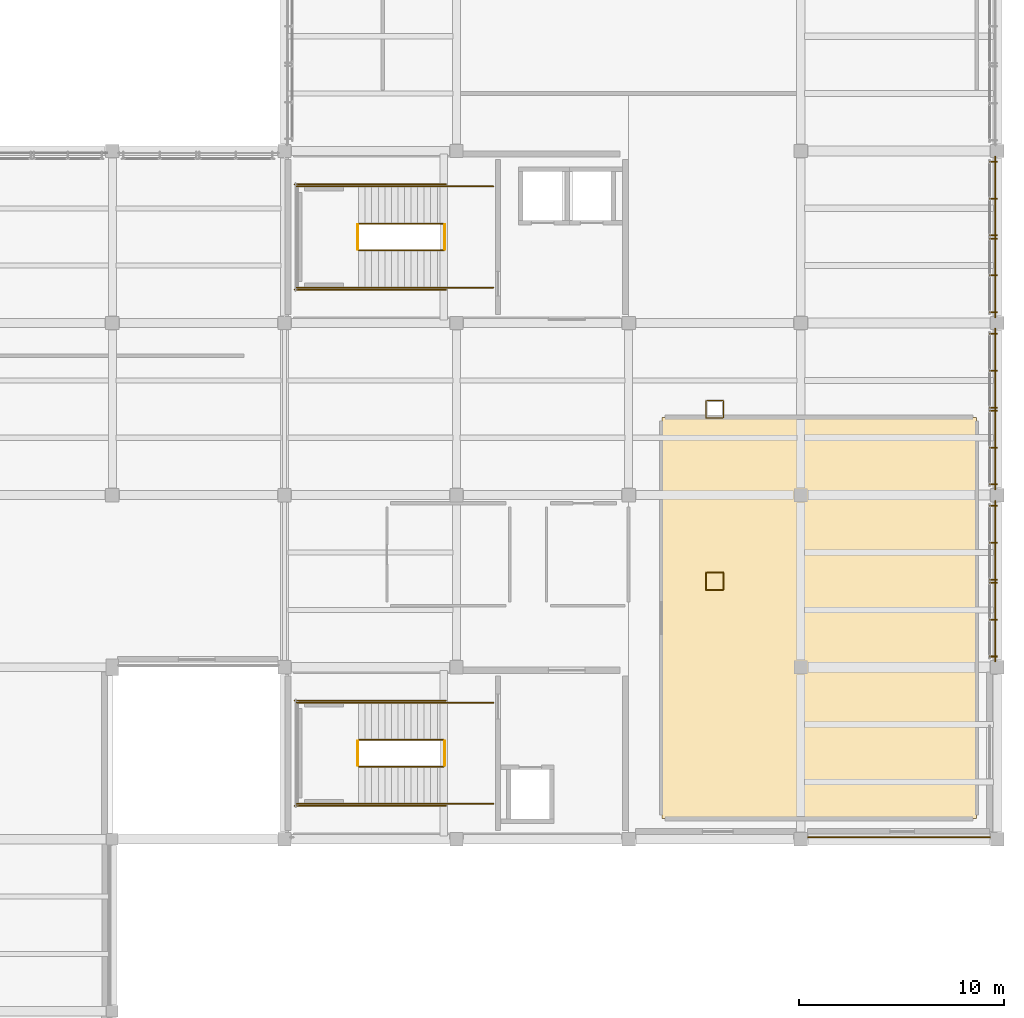
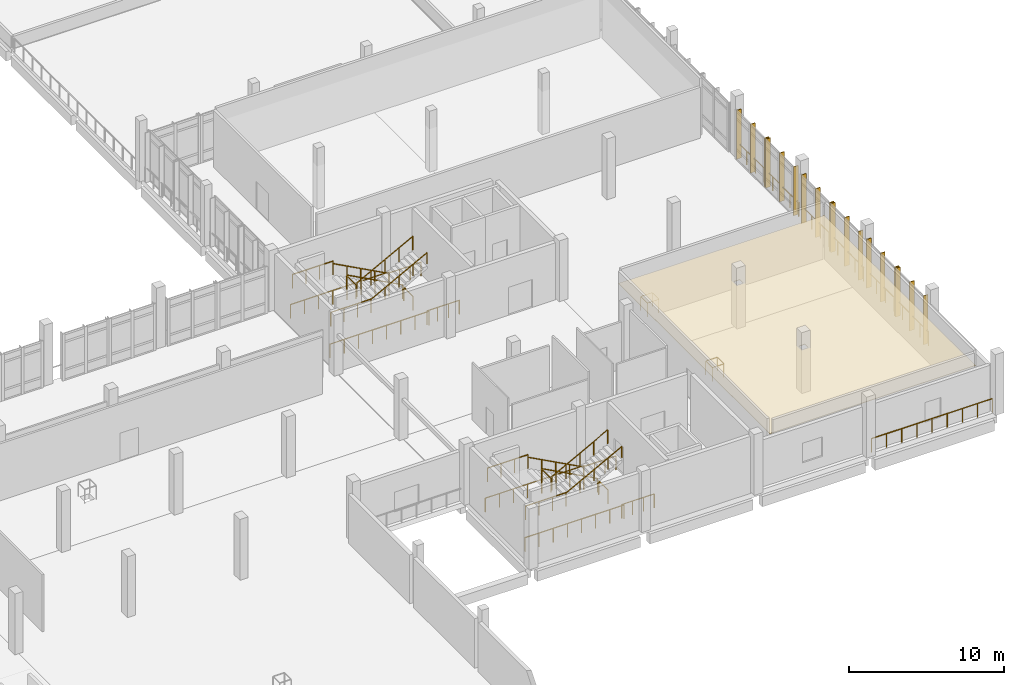
# One storey, part 61 of 63: 30 railings, 18 shading devices, 1 covering.
"""IFC4 building model written with IfcOpenShell, lengths in metres."""

from ifc_helpers import new_model, si_unit, derived_unit, direction, frame, origin, origin_2d, place, context, subcontext, project, spatial, polyline, rectangle, circle, outline, extrude, material, layer, layer_set, type_object, element, save


model = new_model("IFC4")

# Units and contexts
model_context = context("Model", 3, precision=1e-05, world=origin(), true_north=direction((0.0, 1.0)))
body_context = subcontext(model_context, "Body", "Model", "MODEL_VIEW")
ifc_project = project(units=[si_unit("LENGTHUNIT", "METRE"), si_unit("AREAUNIT", "SQUARE_METRE"), si_unit("VOLUMEUNIT", "CUBIC_METRE"), si_unit("PLANEANGLEUNIT", "RADIAN"), si_unit("MASSUNIT", "GRAM", prefix="KILO"), derived_unit("THERMALTRANSMITTANCEUNIT", [(si_unit("POWERUNIT", "WATT"), 1), (si_unit("LENGTHUNIT", "METRE"), -2), (si_unit("THERMODYNAMICTEMPERATUREUNIT", "KELVIN"), -1)])], contexts=[model_context])

# Site, building, storey
site_placement = place(None, origin())
site = spatial("IfcSite", under=ifc_project, at=site_placement, CompositionType="ELEMENT")
building_placement = place(site_placement, origin())
building = spatial("IfcBuilding", under=site, at=building_placement, Name="Elbkamm Science Centre", CompositionType="ELEMENT")
storey_placement = place(building_placement, frame((0.0, 0.0, 5.10009765625)))
storey = spatial("IfcBuildingStorey", under=building, at=storey_placement, Name="L01", CompositionType="ELEMENT", Elevation=5.10009765625)

# Covering
ifc_material_1 = material(Name="Perforated acoustic mineral fibre ceiling tile")
ifc_layer = layer(ifc_material_1, 0.0400390625)
ifc_layer_set = layer_set([ifc_layer], Name="Perforated acoustic mineral fibre ceiling tile")
covering_type = type_object("IfcCoveringType", Name="COV-CEIL-ACOUSTIC-40", PredefinedType="CEILING", material=ifc_layer_set)
covering_placement = place(storey_placement, frame((0.0, 0.0, 3.349853515625)))
element("IfcCovering", 1, at=covering_placement, inside=storey, type_object=covering_type, Name="L01 Chemistry Wet Teaching Laboratory Acoustic Ceiling", PredefinedType="CEILING", context=body_context, shape_type="SweptSolid", body=[
    extrude(outline(polyline([(159.780029296875, 26.219970703125), (144.419921875, 26.219970703125), (144.419921875, 45.780029296875), (159.780029296875, 45.780029296875), (159.780029296875, 26.219970703125)]), holes=[polyline([(151.419921875, 33.820068359375), (150.97998046875, 33.820068359375), (150.97998046875, 33.3798828125), (151.419921875, 33.3798828125), (151.419921875, 33.820068359375)]), polyline([(151.419921875, 41.780029296875), (151.419921875, 42.219970703125), (150.97998046875, 42.219970703125), (150.97998046875, 41.780029296875), (151.419921875, 41.780029296875)])]), origin(), (0.0, 0.0, 1.0), 0.0400390625),
])

# Railings
ifc_material_2 = material(Name="Stainless steel EN 1.4401", Category="steel")
railing_type_1 = type_object("IfcRailingType", Name="RAIL-EXT-GUARD-1100", PredefinedType="GUARDRAIL", material=ifc_material_2)
for number, where, name in (
    (2, (160.699951171875, 58.52001953125, 0.0), "L01 Slab Edge Perimeter Guard 028"),
    (3, (160.699951171875, 50.1201171875, 0.0), "L01 Slab Edge Perimeter Guard 029"),
    (4, (160.699951171875, 41.719970703125, 0.0), "L01 Slab Edge Perimeter Guard 030"),
):
    element("IfcRailing", number, at=place(storey_placement, frame(where)), inside=storey, type_object=railing_type_1, Name=name, PredefinedType="GUARDRAIL", context=body_context, shape_type="SweptSolid", body=[
        extrude(circle(Radius=0.02392578125, at=origin_2d()), frame((0.0, 0.0, 1.078125), z_axis=(0.0, -1.0, 0.0), x_axis=(1.0, 0.0, 0.0)), (0.0, 0.0, 1.0), 7.840087890625),
        extrude(circle(Radius=0.02001953125, at=origin_2d()), origin(), (0.0, 0.0, 1.0), 1.048095703125),
        extrude(circle(Radius=0.02001953125, at=origin_2d()), frame((0.0, -1.1201171875, 0.0)), (0.0, 0.0, 1.0), 1.048095703125),
        extrude(circle(Radius=0.02001953125, at=origin_2d()), frame((0.0, -2.239990234375, 0.0)), (0.0, 0.0, 1.0), 1.048095703125),
        extrude(circle(Radius=0.02001953125, at=origin_2d()), frame((0.0, -3.360107421875, 0.0)), (0.0, 0.0, 1.0), 1.048095703125),
        extrude(circle(Radius=0.02001953125, at=origin_2d()), frame((0.0, -4.47998046875, 0.0)), (0.0, 0.0, 1.0), 1.048095703125),
        extrude(circle(Radius=0.02001953125, at=origin_2d()), frame((0.0, -5.60009765625, 0.0)), (0.0, 0.0, 1.0), 1.048095703125),
        extrude(circle(Radius=0.02001953125, at=origin_2d()), frame((0.0, -6.719970703125, 0.0)), (0.0, 0.0, 1.0), 1.048095703125),
        extrude(circle(Radius=0.02001953125, at=origin_2d()), frame((0.0, -7.840087890625, 0.0)), (0.0, 0.0, 1.0), 1.048095703125),
    ])
railing_1_placement = place(storey_placement, frame((160.52001953125, 25.300048828125, 0.0)))
element("IfcRailing", 5, at=railing_1_placement, inside=storey, type_object=railing_type_1, Name="L01 Slab Edge Perimeter Guard 031", PredefinedType="GUARDRAIL", context=body_context, shape_type="SweptSolid", body=[
    extrude(circle(Radius=0.02392578125, at=origin_2d()), frame((0.0, 0.0, 1.078125), z_axis=(-1.0, 0.0, 0.0), x_axis=(0.0, -1.0, 0.0)), (0.0, 0.0, 1.0), 9.0400390625),
    extrude(circle(Radius=0.02001953125, at=origin_2d()), origin(), (0.0, 0.0, 1.0), 1.048095703125),
    extrude(circle(Radius=0.02001953125, at=origin_2d()), frame((-1.1298828125, 0.0, 0.0)), (0.0, 0.0, 1.0), 1.048095703125),
    extrude(circle(Radius=0.02001953125, at=origin_2d()), frame((-2.260009765625, 0.0, 0.0)), (0.0, 0.0, 1.0), 1.048095703125),
    extrude(circle(Radius=0.02001953125, at=origin_2d()), frame((-3.39013671875, 0.0, 0.0)), (0.0, 0.0, 1.0), 1.048095703125),
    extrude(circle(Radius=0.02001953125, at=origin_2d()), frame((-4.52001953125, 0.0, 0.0)), (0.0, 0.0, 1.0), 1.048095703125),
    extrude(circle(Radius=0.02001953125, at=origin_2d()), frame((-5.64990234375, 0.0, 0.0)), (0.0, 0.0, 1.0), 1.048095703125),
    extrude(circle(Radius=0.02001953125, at=origin_2d()), frame((-6.780029296875, 0.0, 0.0)), (0.0, 0.0, 1.0), 1.048095703125),
    extrude(circle(Radius=0.02001953125, at=origin_2d()), frame((-7.91015625, 0.0, 0.0)), (0.0, 0.0, 1.0), 1.048095703125),
    extrude(circle(Radius=0.02001953125, at=origin_2d()), frame((-9.0400390625, 0.0, 0.0)), (0.0, 0.0, 1.0), 1.048095703125),
])
railing_type_2 = type_object("IfcRailingType", Name="RAIL-GUARD-1100", PredefinedType="GUARDRAIL", material=ifc_material_2)
railing_2_placement = place(storey_placement, frame((133.780029296875, 55.25, 0.17138671875)))
element("IfcRailing", 6, at=railing_2_placement, inside=storey, type_object=railing_type_2, Name="L01 ST-C3 stair guard 1", PredefinedType="GUARDRAIL", context=body_context, shape_type="SweptSolid", body=[
    extrude(circle(Radius=0.02392578125, at=origin_2d()), frame((0.0, 0.0, 1.078125), z_axis=(-0.881480739103, 0.0, 0.472219976908), x_axis=(0.0, -1.0, 0.0)), (0.0, 0.0, 1.0), 4.71923828125),
    extrude(circle(Radius=0.02001953125, at=origin_2d()), origin(), (0.0, 0.0, 1.0), 1.048095703125),
    extrude(circle(Radius=0.02001953125, at=origin_2d()), frame((-1.0400390625, 0.0, 0.55712890625)), (0.0, 0.0, 1.0), 1.048095703125),
    extrude(circle(Radius=0.02001953125, at=origin_2d()), frame((-2.080078125, 0.0, 1.1142578125)), (0.0, 0.0, 1.0), 1.048095703125),
    extrude(circle(Radius=0.02001953125, at=origin_2d()), frame((-3.119873046875, 0.0, 1.67138671875)), (0.0, 0.0, 1.0), 1.048095703125),
    extrude(circle(Radius=0.02001953125, at=origin_2d()), frame((-4.159912109375, 0.0, 2.228515625)), (0.0, 0.0, 1.0), 1.048095703125),
])
railing_3_placement = place(storey_placement, frame((129.570068359375, 55.199951171875, 2.39990234375)))
element("IfcRailing", 7, at=railing_3_placement, inside=storey, type_object=railing_type_2, Name="L01 ST-C3 stair guard 2", PredefinedType="GUARDRAIL", context=body_context, shape_type="SweptSolid", body=[
    extrude(circle(Radius=0.02392578125, at=origin_2d()), frame((0.0, 0.0, 1.078125), z_axis=(0.0, -1.0, 0.0), x_axis=(1.0, 0.0, 0.0)), (0.0, 0.0, 1.0), 1.199951171875),
    extrude(circle(Radius=0.02001953125, at=origin_2d()), origin(), (0.0, 0.0, 1.0), 1.048095703125),
    extrude(circle(Radius=0.02001953125, at=origin_2d()), frame((0.0, -1.199951171875, 0.0)), (0.0, 0.0, 1.0), 1.048095703125),
])
for number, where, name in (
    (8, (129.6201171875, 57.070068359375, 2.39990234375), "L01 ST-C3 stair guard 3"),
    (9, (129.6201171875, 52.1298828125, 2.39990234375), "L01 ST-C3 stair guard 4"),
):
    element("IfcRailing", number, at=place(storey_placement, frame(where)), inside=storey, type_object=railing_type_2, Name=name, PredefinedType="GUARDRAIL", context=body_context, shape_type="SweptSolid", body=[
        extrude(circle(Radius=0.02392578125, at=origin_2d()), frame((0.0, 0.0, 1.078125), z_axis=(-1.0, 0.0, 0.0), x_axis=(0.0, -1.0, 0.0)), (0.0, 0.0, 1.0), 3.02001953125),
        extrude(circle(Radius=0.02001953125, at=origin_2d()), origin(), (0.0, 0.0, 1.0), 1.048095703125),
        extrude(circle(Radius=0.02001953125, at=origin_2d()), frame((-1.006591796875, 0.0, 0.0)), (0.0, 0.0, 1.0), 1.048095703125),
        extrude(circle(Radius=0.02001953125, at=origin_2d()), frame((-2.013427734375, 0.0, 0.0)), (0.0, 0.0, 1.0), 1.048095703125),
        extrude(circle(Radius=0.02001953125, at=origin_2d()), frame((-3.02001953125, 0.0, 0.0)), (0.0, 0.0, 1.0), 1.048095703125),
    ])
railing_4_placement = place(storey_placement, frame((129.6201171875, 53.949951171875, 2.5712890625)))
element("IfcRailing", 10, at=railing_4_placement, inside=storey, type_object=railing_type_2, Name="L01 ST-C3 stair guard 6", PredefinedType="GUARDRAIL", context=body_context, shape_type="SweptSolid", body=[
    extrude(circle(Radius=0.02392578125, at=origin_2d()), frame((0.0, 0.0, 1.078125), z_axis=(0.881480739103, 0.0, 0.472219976908), x_axis=(0.0, 1.0, 0.0)), (0.0, 0.0, 1.0), 4.71923828125),
    extrude(circle(Radius=0.02001953125, at=origin_2d()), origin(), (0.0, 0.0, 1.0), 1.048095703125),
    extrude(circle(Radius=0.02001953125, at=origin_2d()), frame((1.0400390625, 0.0, 0.55712890625)), (0.0, 0.0, 1.0), 1.048095703125),
    extrude(circle(Radius=0.02001953125, at=origin_2d()), frame((2.080078125, 0.0, 1.1142578125)), (0.0, 0.0, 1.0), 1.048095703125),
    extrude(circle(Radius=0.02001953125, at=origin_2d()), frame((3.119873046875, 0.0, 1.67138671875)), (0.0, 0.0, 1.0), 1.048095703125),
    extrude(circle(Radius=0.02001953125, at=origin_2d()), frame((4.159912109375, 0.0, 2.228515625)), (0.0, 0.0, 1.0), 1.048095703125),
])
railing_5_placement = place(storey_placement, frame((133.830078125, 55.199951171875, 0.0)))
element("IfcRailing", 11, at=railing_5_placement, inside=storey, type_object=railing_type_2, Name="L01 ST-C3 stair guard 7", PredefinedType="GUARDRAIL", context=body_context, shape_type="SweptSolid", body=[
    extrude(circle(Radius=0.02392578125, at=origin_2d()), frame((0.0, 0.0, 1.078125), z_axis=(0.0, -1.0, 0.0), x_axis=(1.0, 0.0, 0.0)), (0.0, 0.0, 1.0), 1.199951171875),
    extrude(circle(Radius=0.02001953125, at=origin_2d()), origin(), (0.0, 0.0, 1.0), 1.048095703125),
    extrude(circle(Radius=0.02001953125, at=origin_2d()), frame((0.0, -1.199951171875, 0.0)), (0.0, 0.0, 1.0), 1.048095703125),
])
for number, where, name in (
    (12, (136.199951171875, 57.070068359375, 0.0), "L01 ST-C3 stair guard 8"),
    (13, (136.199951171875, 52.1298828125, 0.0), "L01 ST-C3 stair guard 9"),
):
    element("IfcRailing", number, at=place(storey_placement, frame(where)), inside=storey, type_object=railing_type_2, Name=name, PredefinedType="GUARDRAIL", context=body_context, shape_type="SweptSolid", body=[
        extrude(circle(Radius=0.02392578125, at=origin_2d()), frame((0.0, 0.0, 1.078125), z_axis=(-1.0, 0.0, 0.0), x_axis=(0.0, -1.0, 0.0)), (0.0, 0.0, 1.0), 2.419921875),
        extrude(circle(Radius=0.02001953125, at=origin_2d()), origin(), (0.0, 0.0, 1.0), 1.048095703125),
        extrude(circle(Radius=0.02001953125, at=origin_2d()), frame((-0.806640625, 0.0, 0.0)), (0.0, 0.0, 1.0), 1.048095703125),
        extrude(circle(Radius=0.02001953125, at=origin_2d()), frame((-1.61328125, 0.0, 0.0)), (0.0, 0.0, 1.0), 1.048095703125),
        extrude(circle(Radius=0.02001953125, at=origin_2d()), frame((-2.419921875, 0.0, 0.0)), (0.0, 0.0, 1.0), 1.048095703125),
    ])
for number, where, name in (
    (14, (133.8798828125, 57.169921875, 0.0), "L01 ST-C3 stair guard 10"),
    (15, (133.8798828125, 52.030029296875, 0.0), "L01 ST-C3 stair guard 11"),
):
    element("IfcRailing", number, at=place(storey_placement, frame(where)), inside=storey, type_object=railing_type_2, Name=name, PredefinedType="GUARDRAIL", context=body_context, shape_type="SweptSolid", body=[
        extrude(circle(Radius=0.02392578125, at=origin_2d()), frame((0.0, 0.0, 1.078125), z_axis=(-1.0, 0.0, 0.0), x_axis=(0.0, -1.0, 0.0)), (0.0, 0.0, 1.0), 7.3798828125),
        extrude(circle(Radius=0.02001953125, at=origin_2d()), origin(), (0.0, 0.0, 1.0), 1.048095703125),
        extrude(circle(Radius=0.02001953125, at=origin_2d()), frame((-1.05419921875, 0.0, 0.0)), (0.0, 0.0, 1.0), 1.048095703125),
        extrude(circle(Radius=0.02001953125, at=origin_2d()), frame((-2.108642578125, 0.0, 0.0)), (0.0, 0.0, 1.0), 1.048095703125),
        extrude(circle(Radius=0.02001953125, at=origin_2d()), frame((-3.162841796875, 0.0, 0.0)), (0.0, 0.0, 1.0), 1.048095703125),
        extrude(circle(Radius=0.02001953125, at=origin_2d()), frame((-4.217041015625, 0.0, 0.0)), (0.0, 0.0, 1.0), 1.048095703125),
        extrude(circle(Radius=0.02001953125, at=origin_2d()), frame((-5.271240234375, 0.0, 0.0)), (0.0, 0.0, 1.0), 1.048095703125),
        extrude(circle(Radius=0.02001953125, at=origin_2d()), frame((-6.32568359375, 0.0, 0.0)), (0.0, 0.0, 1.0), 1.048095703125),
        extrude(circle(Radius=0.02001953125, at=origin_2d()), frame((-7.3798828125, 0.0, 0.0)), (0.0, 0.0, 1.0), 1.048095703125),
    ])
railing_6_placement = place(storey_placement, frame((133.780029296875, 30.050048828125, 0.17138671875)))
element("IfcRailing", 16, at=railing_6_placement, inside=storey, type_object=railing_type_2, Name="L01 ST-C4 stair guard 1", PredefinedType="GUARDRAIL", context=body_context, shape_type="SweptSolid", body=[
    extrude(circle(Radius=0.02392578125, at=origin_2d()), frame((0.0, 0.0, 1.078125), z_axis=(-0.881480739103, 0.0, 0.472219976908), x_axis=(0.0, -1.0, 0.0)), (0.0, 0.0, 1.0), 4.71923828125),
    extrude(circle(Radius=0.02001953125, at=origin_2d()), origin(), (0.0, 0.0, 1.0), 1.048095703125),
    extrude(circle(Radius=0.02001953125, at=origin_2d()), frame((-1.0400390625, 0.0, 0.55712890625)), (0.0, 0.0, 1.0), 1.048095703125),
    extrude(circle(Radius=0.02001953125, at=origin_2d()), frame((-2.080078125, 0.0, 1.1142578125)), (0.0, 0.0, 1.0), 1.048095703125),
    extrude(circle(Radius=0.02001953125, at=origin_2d()), frame((-3.119873046875, 0.0, 1.67138671875)), (0.0, 0.0, 1.0), 1.048095703125),
    extrude(circle(Radius=0.02001953125, at=origin_2d()), frame((-4.159912109375, 0.0, 2.228515625)), (0.0, 0.0, 1.0), 1.048095703125),
])
railing_7_placement = place(storey_placement, frame((129.570068359375, 30.0, 2.39990234375)))
element("IfcRailing", 17, at=railing_7_placement, inside=storey, type_object=railing_type_2, Name="L01 ST-C4 stair guard 2", PredefinedType="GUARDRAIL", context=body_context, shape_type="SweptSolid", body=[
    extrude(circle(Radius=0.02392578125, at=origin_2d()), frame((0.0, 0.0, 1.078125), z_axis=(0.0, -1.0, 0.0), x_axis=(1.0, 0.0, 0.0)), (0.0, 0.0, 1.0), 1.199951171875),
    extrude(circle(Radius=0.02001953125, at=origin_2d()), origin(), (0.0, 0.0, 1.0), 1.048095703125),
    extrude(circle(Radius=0.02001953125, at=origin_2d()), frame((0.0, -1.199951171875, 0.0)), (0.0, 0.0, 1.0), 1.048095703125),
])
for number, where, name in (
    (18, (129.6201171875, 31.8701171875, 2.39990234375), "L01 ST-C4 stair guard 3"),
    (19, (129.6201171875, 26.929931640625, 2.39990234375), "L01 ST-C4 stair guard 4"),
):
    element("IfcRailing", number, at=place(storey_placement, frame(where)), inside=storey, type_object=railing_type_2, Name=name, PredefinedType="GUARDRAIL", context=body_context, shape_type="SweptSolid", body=[
        extrude(circle(Radius=0.02392578125, at=origin_2d()), frame((0.0, 0.0, 1.078125), z_axis=(-1.0, 0.0, 0.0), x_axis=(0.0, -1.0, 0.0)), (0.0, 0.0, 1.0), 3.02001953125),
        extrude(circle(Radius=0.02001953125, at=origin_2d()), origin(), (0.0, 0.0, 1.0), 1.048095703125),
        extrude(circle(Radius=0.02001953125, at=origin_2d()), frame((-1.006591796875, 0.0, 0.0)), (0.0, 0.0, 1.0), 1.048095703125),
        extrude(circle(Radius=0.02001953125, at=origin_2d()), frame((-2.013427734375, 0.0, 0.0)), (0.0, 0.0, 1.0), 1.048095703125),
        extrude(circle(Radius=0.02001953125, at=origin_2d()), frame((-3.02001953125, 0.0, 0.0)), (0.0, 0.0, 1.0), 1.048095703125),
    ])
railing_8_placement = place(storey_placement, frame((129.6201171875, 28.75, 2.5712890625)))
element("IfcRailing", 20, at=railing_8_placement, inside=storey, type_object=railing_type_2, Name="L01 ST-C4 stair guard 6", PredefinedType="GUARDRAIL", context=body_context, shape_type="SweptSolid", body=[
    extrude(circle(Radius=0.02392578125, at=origin_2d()), frame((0.0, 0.0, 1.078125), z_axis=(0.881480739103, 0.0, 0.472219976908), x_axis=(0.0, 1.0, 0.0)), (0.0, 0.0, 1.0), 4.71923828125),
    extrude(circle(Radius=0.02001953125, at=origin_2d()), origin(), (0.0, 0.0, 1.0), 1.048095703125),
    extrude(circle(Radius=0.02001953125, at=origin_2d()), frame((1.0400390625, 0.0, 0.55712890625)), (0.0, 0.0, 1.0), 1.048095703125),
    extrude(circle(Radius=0.02001953125, at=origin_2d()), frame((2.080078125, 0.0, 1.1142578125)), (0.0, 0.0, 1.0), 1.048095703125),
    extrude(circle(Radius=0.02001953125, at=origin_2d()), frame((3.119873046875, 0.0, 1.67138671875)), (0.0, 0.0, 1.0), 1.048095703125),
    extrude(circle(Radius=0.02001953125, at=origin_2d()), frame((4.159912109375, 0.0, 2.228515625)), (0.0, 0.0, 1.0), 1.048095703125),
])
railing_9_placement = place(storey_placement, frame((133.830078125, 30.0, 0.0)))
element("IfcRailing", 21, at=railing_9_placement, inside=storey, type_object=railing_type_2, Name="L01 ST-C4 stair guard 7", PredefinedType="GUARDRAIL", context=body_context, shape_type="SweptSolid", body=[
    extrude(circle(Radius=0.02392578125, at=origin_2d()), frame((0.0, 0.0, 1.078125), z_axis=(0.0, -1.0, 0.0), x_axis=(1.0, 0.0, 0.0)), (0.0, 0.0, 1.0), 1.199951171875),
    extrude(circle(Radius=0.02001953125, at=origin_2d()), origin(), (0.0, 0.0, 1.0), 1.048095703125),
    extrude(circle(Radius=0.02001953125, at=origin_2d()), frame((0.0, -1.199951171875, 0.0)), (0.0, 0.0, 1.0), 1.048095703125),
])
for number, where, name in (
    (22, (136.199951171875, 31.8701171875, 0.0), "L01 ST-C4 stair guard 8"),
    (23, (136.199951171875, 26.929931640625, 0.0), "L01 ST-C4 stair guard 9"),
):
    element("IfcRailing", number, at=place(storey_placement, frame(where)), inside=storey, type_object=railing_type_2, Name=name, PredefinedType="GUARDRAIL", context=body_context, shape_type="SweptSolid", body=[
        extrude(circle(Radius=0.02392578125, at=origin_2d()), frame((0.0, 0.0, 1.078125), z_axis=(-1.0, 0.0, 0.0), x_axis=(0.0, -1.0, 0.0)), (0.0, 0.0, 1.0), 2.419921875),
        extrude(circle(Radius=0.02001953125, at=origin_2d()), origin(), (0.0, 0.0, 1.0), 1.048095703125),
        extrude(circle(Radius=0.02001953125, at=origin_2d()), frame((-0.806640625, 0.0, 0.0)), (0.0, 0.0, 1.0), 1.048095703125),
        extrude(circle(Radius=0.02001953125, at=origin_2d()), frame((-1.61328125, 0.0, 0.0)), (0.0, 0.0, 1.0), 1.048095703125),
        extrude(circle(Radius=0.02001953125, at=origin_2d()), frame((-2.419921875, 0.0, 0.0)), (0.0, 0.0, 1.0), 1.048095703125),
    ])
for number, where, name in (
    (24, (133.8798828125, 31.969970703125, 0.0), "L01 ST-C4 stair guard 10"),
    (25, (133.8798828125, 26.830078125, 0.0), "L01 ST-C4 stair guard 11"),
):
    element("IfcRailing", number, at=place(storey_placement, frame(where)), inside=storey, type_object=railing_type_2, Name=name, PredefinedType="GUARDRAIL", context=body_context, shape_type="SweptSolid", body=[
        extrude(circle(Radius=0.02392578125, at=origin_2d()), frame((0.0, 0.0, 1.078125), z_axis=(-1.0, 0.0, 0.0), x_axis=(0.0, -1.0, 0.0)), (0.0, 0.0, 1.0), 7.3798828125),
        extrude(circle(Radius=0.02001953125, at=origin_2d()), origin(), (0.0, 0.0, 1.0), 1.048095703125),
        extrude(circle(Radius=0.02001953125, at=origin_2d()), frame((-1.05419921875, 0.0, 0.0)), (0.0, 0.0, 1.0), 1.048095703125),
        extrude(circle(Radius=0.02001953125, at=origin_2d()), frame((-2.108642578125, 0.0, 0.0)), (0.0, 0.0, 1.0), 1.048095703125),
        extrude(circle(Radius=0.02001953125, at=origin_2d()), frame((-3.162841796875, 0.0, 0.0)), (0.0, 0.0, 1.0), 1.048095703125),
        extrude(circle(Radius=0.02001953125, at=origin_2d()), frame((-4.217041015625, 0.0, 0.0)), (0.0, 0.0, 1.0), 1.048095703125),
        extrude(circle(Radius=0.02001953125, at=origin_2d()), frame((-5.271240234375, 0.0, 0.0)), (0.0, 0.0, 1.0), 1.048095703125),
        extrude(circle(Radius=0.02001953125, at=origin_2d()), frame((-6.32568359375, 0.0, 0.0)), (0.0, 0.0, 1.0), 1.048095703125),
        extrude(circle(Radius=0.02001953125, at=origin_2d()), frame((-7.3798828125, 0.0, 0.0)), (0.0, 0.0, 1.0), 1.048095703125),
    ])
for number, where, name in (
    (26, (146.570068359375, 37.3701171875, 0.0), "L01 Service Riser Opening Guardrail 013"),
    (27, (146.570068359375, 45.77001953125, 0.0), "L01 Service Riser Opening Guardrail 014"),
):
    element("IfcRailing", number, at=place(storey_placement, frame(where)), inside=storey, type_object=railing_type_2, Name=name, PredefinedType="GUARDRAIL", context=body_context, shape_type="SweptSolid", body=[
        extrude(circle(Radius=0.02392578125, at=origin_2d()), frame((0.0, 0.0, 1.078125), z_axis=(1.0, 0.0, 0.0), x_axis=(0.0, 1.0, 0.0)), (0.0, 0.0, 1.0), 0.829833984375),
        extrude(circle(Radius=0.02392578125, at=origin_2d()), frame((0.85986328125, 0.030029296875, 1.078125), z_axis=(0.0, 1.0, 0.0), x_axis=(-1.0, 0.0, 0.0)), (0.0, 0.0, 1.0), 0.7998046875),
        extrude(circle(Radius=0.02392578125, at=origin_2d()), frame((0.829833984375, 0.85986328125, 1.078125), z_axis=(-1.0, 0.0, 0.0), x_axis=(0.0, -1.0, 0.0)), (0.0, 0.0, 1.0), 0.7998046875),
        extrude(circle(Radius=0.02392578125, at=origin_2d()), frame((0.0, 0.829833984375, 1.078125), z_axis=(0.0, -1.0, 0.0), x_axis=(1.0, 0.0, 0.0)), (0.0, 0.0, 1.0), 0.829833984375),
        extrude(circle(Radius=0.02001953125, at=origin_2d()), origin(), (0.0, 0.0, 1.0), 1.048095703125),
        extrude(circle(Radius=0.02001953125, at=origin_2d()), frame((0.85986328125, 0.0, 0.0)), (0.0, 0.0, 1.0), 1.048095703125),
        extrude(circle(Radius=0.02001953125, at=origin_2d()), frame((0.85986328125, 0.85986328125, 0.0)), (0.0, 0.0, 1.0), 1.048095703125),
        extrude(circle(Radius=0.02001953125, at=origin_2d()), frame((0.0, 0.85986328125, 0.0)), (0.0, 0.0, 1.0), 1.048095703125),
    ])
railing_type_3 = type_object("IfcRailingType", Name="RAIL-HAND-900", PredefinedType="HANDRAIL", material=ifc_material_2)
railing_10_placement = place(storey_placement, frame((133.780029296875, 57.070068359375, 0.17138671875)))
element("IfcRailing", 28, at=railing_10_placement, inside=storey, type_object=railing_type_3, Name="L01 ST-C3 stair handrail 1", PredefinedType="HANDRAIL", context=body_context, shape_type="SweptSolid", body=[
    extrude(circle(Radius=0.02392578125, at=origin_2d()), frame((0.0, 0.0, 0.8779296875), z_axis=(-0.881480739103, 0.0, 0.472219976908), x_axis=(0.0, -1.0, 0.0)), (0.0, 0.0, 1.0), 4.71923828125),
    extrude(circle(Radius=0.02001953125, at=origin_2d()), origin(), (0.0, 0.0, 1.0), 0.847900390625),
    extrude(circle(Radius=0.02001953125, at=origin_2d()), frame((-1.0400390625, 0.0, 0.55712890625)), (0.0, 0.0, 1.0), 0.847900390625),
    extrude(circle(Radius=0.02001953125, at=origin_2d()), frame((-2.080078125, 0.0, 1.1142578125)), (0.0, 0.0, 1.0), 0.847900390625),
    extrude(circle(Radius=0.02001953125, at=origin_2d()), frame((-3.119873046875, 0.0, 1.67138671875)), (0.0, 0.0, 1.0), 0.847900390625),
    extrude(circle(Radius=0.02001953125, at=origin_2d()), frame((-4.159912109375, 0.0, 2.228515625)), (0.0, 0.0, 1.0), 0.847900390625),
])
railing_11_placement = place(storey_placement, frame((129.6201171875, 52.1298828125, 2.5712890625)))
element("IfcRailing", 29, at=railing_11_placement, inside=storey, type_object=railing_type_3, Name="L01 ST-C3 stair handrail 2", PredefinedType="HANDRAIL", context=body_context, shape_type="SweptSolid", body=[
    extrude(circle(Radius=0.02392578125, at=origin_2d()), frame((0.0, 0.0, 0.8779296875), z_axis=(0.881480739103, 0.0, 0.472219976908), x_axis=(0.0, 1.0, 0.0)), (0.0, 0.0, 1.0), 4.71923828125),
    extrude(circle(Radius=0.02001953125, at=origin_2d()), origin(), (0.0, 0.0, 1.0), 0.847900390625),
    extrude(circle(Radius=0.02001953125, at=origin_2d()), frame((1.0400390625, 0.0, 0.55712890625)), (0.0, 0.0, 1.0), 0.847900390625),
    extrude(circle(Radius=0.02001953125, at=origin_2d()), frame((2.080078125, 0.0, 1.1142578125)), (0.0, 0.0, 1.0), 0.847900390625),
    extrude(circle(Radius=0.02001953125, at=origin_2d()), frame((3.119873046875, 0.0, 1.67138671875)), (0.0, 0.0, 1.0), 0.847900390625),
    extrude(circle(Radius=0.02001953125, at=origin_2d()), frame((4.159912109375, 0.0, 2.228515625)), (0.0, 0.0, 1.0), 0.847900390625),
])
railing_12_placement = place(storey_placement, frame((133.780029296875, 31.8701171875, 0.17138671875)))
element("IfcRailing", 30, at=railing_12_placement, inside=storey, type_object=railing_type_3, Name="L01 ST-C4 stair handrail 1", PredefinedType="HANDRAIL", context=body_context, shape_type="SweptSolid", body=[
    extrude(circle(Radius=0.02392578125, at=origin_2d()), frame((0.0, 0.0, 0.8779296875), z_axis=(-0.881480739103, 0.0, 0.472219976908), x_axis=(0.0, -1.0, 0.0)), (0.0, 0.0, 1.0), 4.71923828125),
    extrude(circle(Radius=0.02001953125, at=origin_2d()), origin(), (0.0, 0.0, 1.0), 0.847900390625),
    extrude(circle(Radius=0.02001953125, at=origin_2d()), frame((-1.0400390625, 0.0, 0.55712890625)), (0.0, 0.0, 1.0), 0.847900390625),
    extrude(circle(Radius=0.02001953125, at=origin_2d()), frame((-2.080078125, 0.0, 1.1142578125)), (0.0, 0.0, 1.0), 0.847900390625),
    extrude(circle(Radius=0.02001953125, at=origin_2d()), frame((-3.119873046875, 0.0, 1.67138671875)), (0.0, 0.0, 1.0), 0.847900390625),
    extrude(circle(Radius=0.02001953125, at=origin_2d()), frame((-4.159912109375, 0.0, 2.228515625)), (0.0, 0.0, 1.0), 0.847900390625),
])
railing_13_placement = place(storey_placement, frame((129.6201171875, 26.929931640625, 2.5712890625)))
element("IfcRailing", 31, at=railing_13_placement, inside=storey, type_object=railing_type_3, Name="L01 ST-C4 stair handrail 2", PredefinedType="HANDRAIL", context=body_context, shape_type="SweptSolid", body=[
    extrude(circle(Radius=0.02392578125, at=origin_2d()), frame((0.0, 0.0, 0.8779296875), z_axis=(0.881480739103, 0.0, 0.472219976908), x_axis=(0.0, 1.0, 0.0)), (0.0, 0.0, 1.0), 4.71923828125),
    extrude(circle(Radius=0.02001953125, at=origin_2d()), origin(), (0.0, 0.0, 1.0), 0.847900390625),
    extrude(circle(Radius=0.02001953125, at=origin_2d()), frame((1.0400390625, 0.0, 0.55712890625)), (0.0, 0.0, 1.0), 0.847900390625),
    extrude(circle(Radius=0.02001953125, at=origin_2d()), frame((2.080078125, 0.0, 1.1142578125)), (0.0, 0.0, 1.0), 0.847900390625),
    extrude(circle(Radius=0.02001953125, at=origin_2d()), frame((3.119873046875, 0.0, 1.67138671875)), (0.0, 0.0, 1.0), 0.847900390625),
    extrude(circle(Radius=0.02001953125, at=origin_2d()), frame((4.159912109375, 0.0, 2.228515625)), (0.0, 0.0, 1.0), 0.847900390625),
])

# Shading devices
ifc_material_3 = material(Name="Terracotta-ochre powder-coated aluminium EN AW-6060", Category="masonry")
shading_device_type = type_object("IfcShadingDeviceType", Name="SHD-LOUVRE-420", PredefinedType="USERDEFINED", material=ifc_material_3)
for number, where, z_axis, x_axis, name in (
    (32, (160.614990234375, 58.27880859375, -0.000244140625), (0.0, 0.0, 1.0), (1.0, 0.0, 0.0), "L01 Brise-Soleil Sunshade Fin 0234"),
    (33, (160.614990234375, 56.476806640625, -0.000244140625), (0.0, 0.0, 1.0), (1.0, 0.0, 0.0), "L01 Brise-Soleil Sunshade Fin 0235"),
    (34, (160.614990234375, 54.675048828125, -0.000244140625), (0.0, 0.0, 1.0), (1.0, 0.0, 0.0), "L01 Brise-Soleil Sunshade Fin 0236"),
    (35, (160.614990234375, 54.52490234375, -0.000244140625), (0.0, 0.0, 1.0), (1.0, 0.0, 0.0), "L01 Brise-Soleil Sunshade Fin 0237"),
    (36, (160.614990234375, 52.72314453125, -0.000244140625), (0.0, 0.0, 1.0), (1.0, 0.0, 0.0), "L01 Brise-Soleil Sunshade Fin 0238"),
    (37, (160.614990234375, 50.92138671875, -0.000244140625), (0.0, 0.0, 1.0), (1.0, 0.0, 0.0), "L01 Brise-Soleil Sunshade Fin 0239"),
    (38, (160.614990234375, 49.878662109375, -0.000244140625), (0.0, 0.0, 1.0), (1.0, 0.0, 0.0), "L01 Brise-Soleil Sunshade Fin 0240"),
    (39, (160.614990234375, 48.076904296875, -0.000244140625), (0.0, 0.0, 1.0), (1.0, 0.0, 0.0), "L01 Brise-Soleil Sunshade Fin 0241"),
    (40, (160.614990234375, 46.27490234375, -0.000244140625), (0.0, 0.0, 1.0), (1.0, 0.0, 0.0), "L01 Brise-Soleil Sunshade Fin 0242"),
    (41, (160.614990234375, 46.125, -0.000244140625), (0.0, 0.0, 1.0), (1.0, 0.0, 0.0), "L01 Brise-Soleil Sunshade Fin 0243"),
    (42, (160.614990234375, 44.322998046875, -0.000244140625), (0.0, 0.0, 1.0), (1.0, 0.0, 0.0), "L01 Brise-Soleil Sunshade Fin 0244"),
    (43, (160.614990234375, 42.521240234375, -0.000244140625), (0.0, 0.0, 1.0), (1.0, 0.0, 0.0), "L01 Brise-Soleil Sunshade Fin 0245"),
    (44, (160.614990234375, 41.478759765625, -0.000244140625), (0.0, 0.0, 1.0), (1.0, 0.0, 0.0), "L01 Brise-Soleil Sunshade Fin 0246"),
    (45, (160.614990234375, 39.677001953125, -0.000244140625), (0.0, 0.0, 1.0), (1.0, 0.0, 0.0), "L01 Brise-Soleil Sunshade Fin 0247"),
    (46, (160.614990234375, 37.875, -0.000244140625), (0.0, 0.0, 1.0), (1.0, 0.0, 0.0), "L01 Brise-Soleil Sunshade Fin 0248"),
    (47, (160.614990234375, 37.72509765625, -0.000244140625), (0.0, 0.0, 1.0), (1.0, 0.0, 0.0), "L01 Brise-Soleil Sunshade Fin 0249"),
    (48, (160.614990234375, 35.923095703125, -0.000244140625), (0.0, 0.0, 1.0), (1.0, 0.0, 0.0), "L01 Brise-Soleil Sunshade Fin 0250"),
    (49, (160.614990234375, 34.121337890625, -0.000244140625), (0.0, 0.0, 1.0), (1.0, 0.0, 0.0), "L01 Brise-Soleil Sunshade Fin 0251"),
):
    element("IfcShadingDevice", number, at=place(storey_placement, frame(where, z_axis=z_axis, x_axis=x_axis)), inside=storey, type_object=shading_device_type, Name=name, ObjectType="LOUVRE", PredefinedType="USERDEFINED", context=body_context, shape_type="SweptSolid", body=[
        extrude(rectangle(XDim=0.35009765625, YDim=0.050048828125, at=origin_2d()), origin(), (0.0, 0.0, 1.0), 3.85009765625),
    ])

save(model, "model.ifc")
